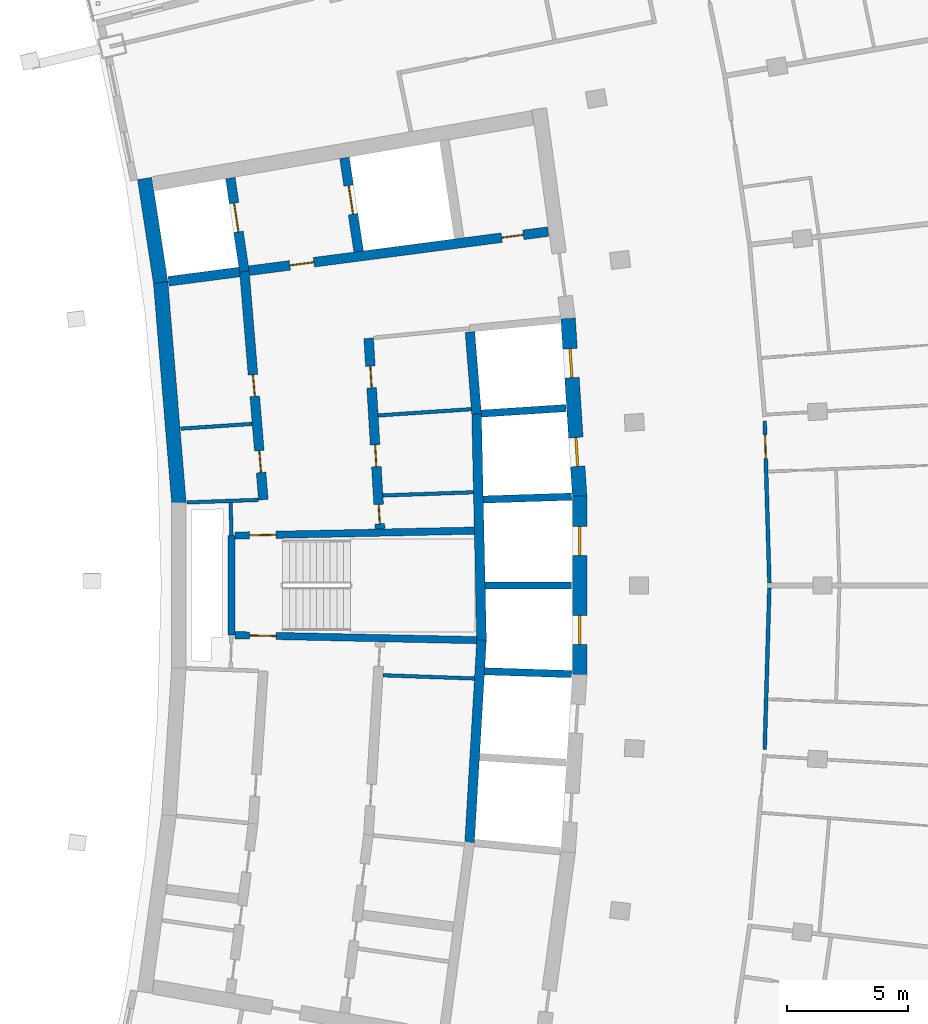
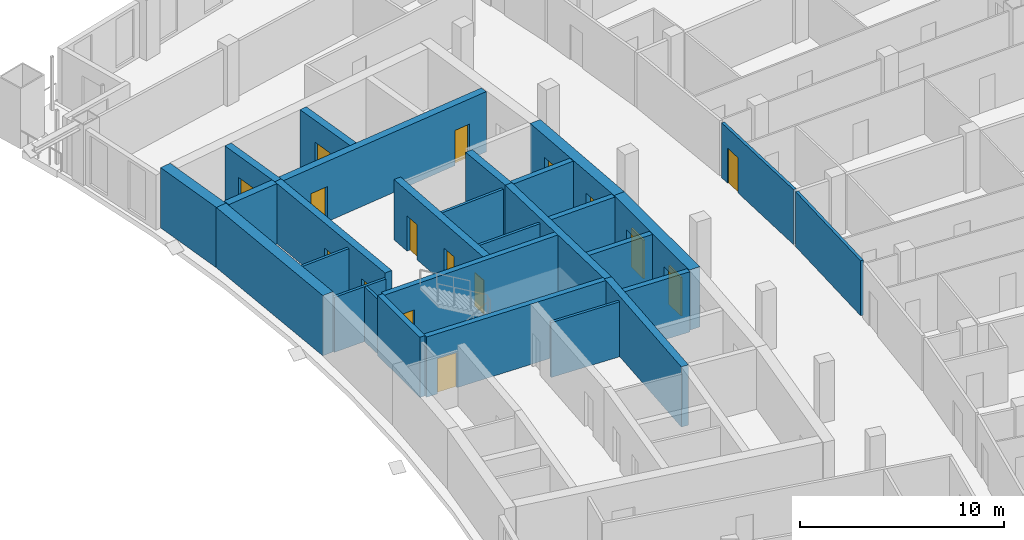
# One storey, part 12 of 19: 28 walls, 16 doors, 16 openings.
"""IFC4 building model written with IfcOpenShell, lengths in metres."""

from ifc_helpers import new_model, si_unit, direction, frame, frame_2d, origin, place, context, subcontext, project, spatial, rectangle, extrude, material, layer, layer_set, type_object, element, fill, save


model = new_model("IFC4")

# Units and contexts
model_context = context("Model", 3, precision=1e-05, world=origin(), true_north=direction((0.0, 1.0)))
body_context = subcontext(model_context, "Body", "Model", "MODEL_VIEW")
ifc_project = project(units=[si_unit("LENGTHUNIT", "METRE"), si_unit("AREAUNIT", "SQUARE_METRE"), si_unit("VOLUMEUNIT", "CUBIC_METRE"), si_unit("PLANEANGLEUNIT", "RADIAN"), si_unit("MASSUNIT", "GRAM", prefix="KILO")], contexts=[model_context])

# Site, building, storey
site_placement = place(None, origin())
site = spatial("IfcSite", under=ifc_project, at=site_placement, CompositionType="ELEMENT")
building_placement = place(site_placement, origin())
building = spatial("IfcBuilding", under=site, at=building_placement, Name="Alderwake Tower", CompositionType="ELEMENT")
storey_placement = place(building_placement, frame((0.0, 0.0, 196.39990234375)))
storey = spatial("IfcBuildingStorey", under=building, at=storey_placement, Name="L48", CompositionType="ELEMENT", Elevation=196.39990234375)

# Walls
ifc_material_1 = material(Name="Gypsum shaft wall system, rated")
ifc_layer_1 = layer(ifc_material_1, 0.14990234375)
ifc_layer_set_1 = layer_set([ifc_layer_1], Name="Core riser partition 150")
wall_type_1 = type_object("IfcWallType", Name="Core riser partition 150", PredefinedType="PARTITIONING", material=ifc_layer_set_1)
wall_1_placement = place(storey_placement, frame((25.1904296875, 57.276611328125, 0.0), z_axis=(0.0, 0.0, 1.0), x_axis=(0.999373547283, -0.03539086028, 0.0)))
element("IfcWall", 1, at=wall_1_placement, inside=storey, type_object=wall_type_1, Name="CW/L48/PR-37_+86", PredefinedType="PARTITIONING", context=body_context, shape_type="SweptSolid", body=[
    extrude(rectangle(XDim=3.794189453125, YDim=0.14990234375, at=frame_2d((1.89697265625, 0.0))), origin(), (0.0, 0.0, 1.0), 3.280029296875),
])
wall_2_placement = place(storey_placement, frame((25.191162109375, 64.723388671875, 0.0), z_axis=(0.0, 0.0, 1.0), x_axis=(0.999373256208, 0.035399078746, 0.0)))
element("IfcWall", 2, at=wall_2_placement, inside=storey, type_object=wall_type_1, Name="CW/L48/PR+37_+86", PredefinedType="PARTITIONING", context=body_context, shape_type="SweptSolid", body=[
    extrude(rectangle(XDim=3.751953125, YDim=0.14990234375, at=frame_2d((1.8759765625, 0.0))), origin(), (0.0, 0.0, 1.0), 3.280029296875),
])
ifc_material_2 = material(Name="Gypsum shaft wall system, rated")
ifc_layer_2 = layer(ifc_material_2, 0.14990234375)
ifc_layer_set_2 = layer_set([ifc_layer_2], Name="Core room partition 150")
wall_type_2 = type_object("IfcWallType", Name="Core room partition 150", PredefinedType="PARTITIONING", material=ifc_layer_set_2)
wall_3_placement = place(storey_placement, frame((18.918701171875, 63.05517578125, 0.0), z_axis=(0.0, 0.0, 1.0), x_axis=(-0.027791791559, 0.99961373356, 0.0)))
element("IfcWall", 3, at=wall_3_placement, inside=storey, type_object=wall_type_2, Name="CW/L48/PA+24_+22", PredefinedType="PARTITIONING", context=body_context, shape_type="SweptSolid", body=[
    extrude(rectangle(XDim=1.370361328125, YDim=0.14990234375, at=frame_2d((0.68505859375, 0.0))), origin(), (0.0, 0.0, 1.0), 3.280029296875),
])
wall_4_placement = place(storey_placement, frame((17.0693359375, 64.43603515625, 0.0), z_axis=(0.0, 0.0, 1.0), x_axis=(0.999374945052, 0.03535136775, 0.0)))
element("IfcWall", 4, at=wall_4_placement, inside=storey, type_object=wall_type_2, Name="CW/L48/PR+37_+0", PredefinedType="PARTITIONING", context=body_context, shape_type="SweptSolid", body=[
    extrude(rectangle(XDim=2.9697265625, YDim=0.14990234375, at=frame_2d((1.48486328125, 0.0))), origin(), (0.0, 0.0, 1.0), 3.280029296875),
])
wall_5_placement = place(storey_placement, frame((16.81640625, 67.490478515625, 0.0), z_axis=(0.0, 0.0, 1.0), x_axis=(0.997758859926, 0.066912311566, 0.0)))
element("IfcWall", 5, at=wall_5_placement, inside=storey, type_object=wall_type_2, Name="CW/L48/PR+70_+0", PredefinedType="PARTITIONING", context=body_context, shape_type="SweptSolid", body=[
    extrude(rectangle(XDim=2.96630859375, YDim=0.14990234375, at=frame_2d((1.483154296875, 0.0))), origin(), (0.0, 0.0, 1.0), 3.280029296875),
])
wall_6_placement = place(storey_placement, frame((24.992431640625, 68.038818359375, 0.0), z_axis=(0.0, 0.0, 1.0), x_axis=(0.997760236964, 0.066891774789, 0.0)))
element("IfcWall", 6, at=wall_6_placement, inside=storey, type_object=wall_type_2, Name="CW/L48/PR+70_+86", PredefinedType="PARTITIONING", context=body_context, shape_type="SweptSolid", body=[
    extrude(rectangle(XDim=3.86865234375, YDim=0.14990234375, at=frame_2d((1.934326171875, 0.0))), origin(), (0.0, 0.0, 1.0), 3.280029296875),
])
ifc_material_3 = material(Name="Concrete C70/85", Category="concrete")
ifc_layer_3 = layer(ifc_material_3, 0.60009765625)
ifc_layer_set_3 = layer_set([ifc_layer_3], Name="Core wall outer 600 C70-85")
wall_type_3 = type_object("IfcWallType", Name="Core wall outer 600 C70-85", PredefinedType="SHEAR", material=ifc_layer_set_3)
wall_7_placement = place(storey_placement, frame((16.740478515625, 64.411376953125, 0.0), z_axis=(0.0, 0.0, 1.0), x_axis=(-0.082614307012, 0.996581595393, 0.0)))
element("IfcWall", 7, at=wall_7_placement, inside=storey, type_object=wall_type_3, Name="Core wall CW.035", PredefinedType="SHEAR", context=body_context, shape_type="SweptSolid", body=[
    extrude(rectangle(XDim=9.184814453125, YDim=0.60009765625, at=frame_2d((4.59228515625, 0.0))), origin(), (0.0, 0.0, 1.0), 3.60009765625),
])
wall_8_placement = place(storey_placement, frame((15.984130859375, 73.54296875, 0.0), z_axis=(0.0, 0.0, 1.0), x_axis=(-0.151922578304, 0.988392396876, 0.0)))
element("IfcWall", 8, at=wall_8_placement, inside=storey, type_object=wall_type_3, Name="Core wall CW.034", PredefinedType="SHEAR", context=body_context, shape_type="SweptSolid", body=[
    extrude(rectangle(XDim=4.361328125, YDim=0.60009765625, at=frame_2d((2.1806640625, 0.0))), origin(), (0.0, 0.0, 1.0), 3.60009765625),
])

# Wall, openings, doors
wall_9_placement = place(storey_placement, frame((33.340087890625, 57.30322265625, 0.0), z_axis=(0.0, 0.0, 1.0), x_axis=(0.0, 1.0, 0.0)))
wall_9 = element("IfcWall", 9, at=wall_9_placement, inside=storey, type_object=wall_type_3, Name="Core wall CW.018", PredefinedType="SHEAR", context=body_context, shape_type="SweptSolid", body=[
    extrude(rectangle(XDim=7.3935546875, YDim=0.60009765625, at=frame_2d((3.69677734375, 0.0))), origin(), (0.0, 0.0, 1.0), 3.60009765625),
])
opening_1_placement = place(wall_9_placement, frame((1.25341796875, 0.0, 0.0)))
opening_1 = element("IfcOpeningElement", 10, at=opening_1_placement, cuts=wall_9, Name="Opening LD-HP3", PredefinedType="OPENING", context=body_context, shape_type="SweptSolid", body=[
    extrude(rectangle(XDim=1.199951171875, YDim=2.300048828125, at=frame_2d((0.60009765625, 1.14990234375))), frame((0.0, 0.31005859375, 0.0), z_axis=(0.0, -1.0, 0.0), x_axis=(1.0, 0.0, 0.0)), (0.0, 0.0, 1.0), 0.6201171875),
])
opening_2_placement = place(wall_9_placement, frame((4.940185546875, 0.0, 0.0)))
opening_2 = element("IfcOpeningElement", 11, at=opening_2_placement, cuts=wall_9, Name="Opening LD-HP4", PredefinedType="OPENING", context=body_context, shape_type="SweptSolid", body=[
    extrude(rectangle(XDim=1.199951171875, YDim=2.300048828125, at=frame_2d((0.60009765625, 1.14990234375))), frame((0.0, 0.31005859375, 0.0), z_axis=(0.0, -1.0, 0.0), x_axis=(1.0, 0.0, 0.0)), (0.0, 0.0, 1.0), 0.6201171875),
])
ifc_material_4 = material(Name="Stainless steel sliding leaf", Category="steel")
door_type_1 = type_object("IfcDoorType", Name="Lift landing door 1200", OperationType="SLIDING_TO_LEFT", PredefinedType="DOOR", material=ifc_material_4)
door_1_placement = place(opening_1_placement, origin())
door_1 = element("IfcDoor", 12, at=door_1_placement, inside=storey, type_object=door_type_1, Name="Lift landing door HP3", OperationType="SLIDING_TO_LEFT", OverallHeight=2.300048828125, OverallWidth=1.199951171875, PredefinedType="DOOR", context=body_context, shape_type="SweptSolid", body=[
    extrude(rectangle(XDim=1.199951171875, YDim=2.300048828125, at=frame_2d((0.60009765625, 1.14990234375))), frame((0.0, 0.050048828125, 0.0), z_axis=(0.0, -1.0, 0.0), x_axis=(1.0, 0.0, 0.0)), (0.0, 0.0, 1.0), 0.10009765625),
])
fill(opening_1, door_1)
door_2_placement = place(opening_2_placement, origin())
door_2 = element("IfcDoor", 13, at=door_2_placement, inside=storey, type_object=door_type_1, Name="Lift landing door HP4", OperationType="SLIDING_TO_LEFT", OverallHeight=2.300048828125, OverallWidth=1.199951171875, PredefinedType="DOOR", context=body_context, shape_type="SweptSolid", body=[
    extrude(rectangle(XDim=1.199951171875, YDim=2.300048828125, at=frame_2d((0.60009765625, 1.14990234375))), frame((0.0, 0.050048828125, 0.0), z_axis=(0.0, -1.0, 0.0), x_axis=(1.0, 0.0, 0.0)), (0.0, 0.0, 1.0), 0.10009765625),
])
fill(opening_2, door_2)

wall_10_placement = place(storey_placement, frame((33.3408203125, 64.67626953125, 0.0), z_axis=(0.0, 0.0, 1.0), x_axis=(-0.065013379938, 0.997884392317, 0.0)))
wall_10 = element("IfcWall", 14, at=wall_10_placement, inside=storey, type_object=wall_type_3, Name="Core wall CW.015", PredefinedType="SHEAR", context=body_context, shape_type="SweptSolid", body=[
    extrude(rectangle(XDim=7.39404296875, YDim=0.60009765625, at=frame_2d((3.697021484375, 0.0))), origin(), (0.0, 0.0, 1.0), 3.60009765625),
])
opening_3_placement = place(wall_10_placement, frame((1.253173828125, 0.0, 0.0)))
opening_3 = element("IfcOpeningElement", 15, at=opening_3_placement, cuts=wall_10, Name="Opening LD-HP5", PredefinedType="OPENING", context=body_context, shape_type="SweptSolid", body=[
    extrude(rectangle(XDim=1.199951171875, YDim=2.300048828125, at=frame_2d((0.60009765625, 1.14990234375))), frame((0.0, 0.31005859375, 0.0), z_axis=(0.0, -1.0, 0.0), x_axis=(1.0, 0.0, 0.0)), (0.0, 0.0, 1.0), 0.6201171875),
])
opening_4_placement = place(wall_10_placement, frame((4.940185546875, 0.0, 0.0)))
opening_4 = element("IfcOpeningElement", 16, at=opening_4_placement, cuts=wall_10, Name="Opening LD-HP6", PredefinedType="OPENING", context=body_context, shape_type="SweptSolid", body=[
    extrude(rectangle(XDim=1.199951171875, YDim=2.300048828125, at=frame_2d((0.60009765625, 1.14990234375))), frame((0.0, 0.31005859375, 0.0), z_axis=(0.0, -1.0, 0.0), x_axis=(1.0, 0.0, 0.0)), (0.0, 0.0, 1.0), 0.6201171875),
])
door_3_placement = place(opening_3_placement, origin())
door_3 = element("IfcDoor", 17, at=door_3_placement, inside=storey, type_object=door_type_1, Name="Lift landing door HP5", OperationType="SLIDING_TO_LEFT", OverallHeight=2.300048828125, OverallWidth=1.199951171875, PredefinedType="DOOR", context=body_context, shape_type="SweptSolid", body=[
    extrude(rectangle(XDim=1.199951171875, YDim=2.300048828125, at=frame_2d((0.60009765625, 1.14990234375))), frame((0.0, 0.050048828125, 0.0), z_axis=(0.0, -1.0, 0.0), x_axis=(1.0, 0.0, 0.0)), (0.0, 0.0, 1.0), 0.10009765625),
])
fill(opening_3, door_3)
door_4_placement = place(opening_4_placement, origin())
door_4 = element("IfcDoor", 18, at=door_4_placement, inside=storey, type_object=door_type_1, Name="Lift landing door HP6", OperationType="SLIDING_TO_LEFT", OverallHeight=2.300048828125, OverallWidth=1.199951171875, PredefinedType="DOOR", context=body_context, shape_type="SweptSolid", body=[
    extrude(rectangle(XDim=1.199951171875, YDim=2.300048828125, at=frame_2d((0.60009765625, 1.14990234375))), frame((0.0, 0.050048828125, 0.0), z_axis=(0.0, -1.0, 0.0), x_axis=(1.0, 0.0, 0.0)), (0.0, 0.0, 1.0), 0.10009765625),
])
fill(opening_4, door_4)

# Walls
ifc_material_5 = material(Name="Concrete C70/85", Category="concrete")
ifc_layer_4 = layer(ifc_material_5, 0.300048828125)
ifc_layer_set_4 = layer_set([ifc_layer_4], Name="Core wall shaft 300 C70-85")
wall_type_4 = type_object("IfcWallType", Name="Core wall shaft 300 C70-85", PredefinedType="SHEAR", material=ifc_layer_set_4)
wall_11_placement = place(storey_placement, frame((29.400634765625, 57.441650390625, 0.0), z_axis=(0.0, 0.0, 1.0), x_axis=(0.999471151072, -0.032517966969, 0.0)))
element("IfcWall", 19, at=wall_11_placement, inside=storey, type_object=wall_type_4, Name="Core wall CW.075", PredefinedType="SHEAR", context=body_context, shape_type="SweptSolid", body=[
    extrude(rectangle(XDim=3.611328125, YDim=0.300048828125, at=frame_2d((1.8056640625, 0.0))), origin(), (0.0, 0.0, 1.0), 3.60009765625),
])
wall_12_placement = place(storey_placement, frame((29.426025390625, 61.0, 0.0), z_axis=(0.0, 0.0, 1.0), x_axis=(1.0, 0.0, 0.0)))
element("IfcWall", 20, at=wall_12_placement, inside=storey, type_object=wall_type_4, Name="Core wall CW.048", PredefinedType="SHEAR", context=body_context, shape_type="SweptSolid", body=[
    extrude(rectangle(XDim=3.583984375, YDim=0.300048828125, at=frame_2d((1.7919921875, 0.0))), origin(), (0.0, 0.0, 1.0), 3.60009765625),
])
wall_13_placement = place(storey_placement, frame((29.347412109375, 64.556396484375, 0.0), z_axis=(0.0, 0.0, 1.0), x_axis=(0.99946918462, 0.032578351638, 0.0)))
element("IfcWall", 21, at=wall_13_placement, inside=storey, type_object=wall_type_4, Name="Core wall CW.058", PredefinedType="SHEAR", context=body_context, shape_type="SweptSolid", body=[
    extrude(rectangle(XDim=3.66455078125, YDim=0.300048828125, at=frame_2d((1.832275390625, 0.0))), origin(), (0.0, 0.0, 1.0), 3.60009765625),
])
wall_14_placement = place(storey_placement, frame((29.268798828125, 68.115478515625, 0.0), z_axis=(0.0, 0.0, 1.0), x_axis=(0.997887366571, 0.064967712281, 0.0)))
element("IfcWall", 22, at=wall_14_placement, inside=storey, type_object=wall_type_4, Name="Core wall CW.061", PredefinedType="SHEAR", context=body_context, shape_type="SweptSolid", body=[
    extrude(rectangle(XDim=3.509765625, YDim=0.300048828125, at=frame_2d((1.7548828125, 0.0))), origin(), (0.0, 0.0, 1.0), 3.60009765625),
])

# Wall, openings, doors
ifc_material_6 = material(Name="Concrete C70/85", Category="concrete")
ifc_layer_5 = layer(ifc_material_6, 0.39990234375)
ifc_layer_set_5 = layer_set([ifc_layer_5], Name="Core wall spine 400 C70-85")
wall_type_5 = type_object("IfcWallType", Name="Core wall spine 400 C70-85", PredefinedType="SHEAR", material=ifc_layer_set_5)
wall_15_placement = place(storey_placement, frame((19.452392578125, 74.014892578125, 0.0), z_axis=(0.0, 0.0, 1.0), x_axis=(0.082628585297, -0.996580411654, 0.0)))
wall_15 = element("IfcWall", 23, at=wall_15_placement, inside=storey, type_object=wall_type_5, Name="Core wall CW.031", PredefinedType="SHEAR", context=body_context, shape_type="SweptSolid", body=[
    extrude(rectangle(XDim=9.499267578125, YDim=0.39990234375, at=frame_2d((4.74951171875, 0.0))), origin(), (0.0, 0.0, 1.0), 3.60009765625),
])
opening_5_placement = place(wall_15_placement, frame((7.468017578125, 0.0, 0.0)))
opening_5 = element("IfcOpeningElement", 24, at=opening_5_placement, cuts=wall_15, Name="Opening C053", PredefinedType="OPENING", context=body_context, shape_type="SweptSolid", body=[
    extrude(rectangle(XDim=0.89990234375, YDim=2.10009765625, at=frame_2d((0.449951171875, 1.050048828125))), frame((0.0, 0.2099609375, 0.0), z_axis=(0.0, -1.0, 0.0), x_axis=(1.0, 0.0, 0.0)), (0.0, 0.0, 1.0), 0.419921875),
])
opening_6_placement = place(wall_15_placement, frame((4.30322265625, 0.0, 0.0)))
opening_6 = element("IfcOpeningElement", 25, at=opening_6_placement, cuts=wall_15, Name="Opening C054", PredefinedType="OPENING", context=body_context, shape_type="SweptSolid", body=[
    extrude(rectangle(XDim=0.89990234375, YDim=2.10009765625, at=frame_2d((0.449951171875, 1.050048828125))), frame((0.0, 0.2099609375, 0.0), z_axis=(0.0, -1.0, 0.0), x_axis=(1.0, 0.0, 0.0)), (0.0, 0.0, 1.0), 0.419921875),
])
ifc_material_7 = material(Name="Painted steel leaf", Category="steel")
door_type_2 = type_object("IfcDoorType", Name="Core room door 900", OperationType="SINGLE_SWING_LEFT", PredefinedType="DOOR", material=ifc_material_7)
door_5_placement = place(opening_5_placement, origin())
door_5 = element("IfcDoor", 26, at=door_5_placement, inside=storey, type_object=door_type_2, Name="Room door", OperationType="SINGLE_SWING_LEFT", OverallHeight=2.10009765625, OverallWidth=0.89990234375, PredefinedType="DOOR", context=body_context, shape_type="SweptSolid", body=[
    extrude(rectangle(XDim=0.89990234375, YDim=2.10009765625, at=frame_2d((0.449951171875, 1.050048828125))), frame((0.0, 0.02490234375, 0.0), z_axis=(0.0, -1.0, 0.0), x_axis=(1.0, 0.0, 0.0)), (0.0, 0.0, 1.0), 0.050048828125),
])
fill(opening_5, door_5)
door_6_placement = place(opening_6_placement, origin())
door_6 = element("IfcDoor", 27, at=door_6_placement, inside=storey, type_object=door_type_2, Name="Room door", OperationType="SINGLE_SWING_RIGHT", OverallHeight=2.10009765625, OverallWidth=0.89990234375, PredefinedType="DOOR", context=body_context, shape_type="SweptSolid", body=[
    extrude(rectangle(XDim=0.89990234375, YDim=2.10009765625, at=frame_2d((0.449951171875, 1.050048828125))), frame((0.0, 0.02490234375, 0.0), z_axis=(0.0, -1.0, 0.0), x_axis=(1.0, 0.0, 0.0)), (0.0, 0.0, 1.0), 0.050048828125),
])
fill(opening_6, door_6)

# Wall, opening, door
wall_16_placement = place(storey_placement, frame((19.4541015625, 74.00048828125, 0.0), z_axis=(0.0, 0.0, 1.0), x_axis=(-0.148977743105, 0.98884054936, 0.0)))
wall_16 = element("IfcWall", 28, at=wall_16_placement, inside=storey, type_object=wall_type_5, Name="Core wall CW.030", PredefinedType="SHEAR", context=body_context, shape_type="SweptSolid", body=[
    extrude(rectangle(XDim=3.9150390625, YDim=0.39990234375, at=frame_2d((1.95751953125, 0.0))), origin(), (0.0, 0.0, 1.0), 3.60009765625),
])
opening_7_placement = place(wall_16_placement, frame((1.6611328125, 0.0, 0.0)))
opening_7 = element("IfcOpeningElement", 29, at=opening_7_placement, cuts=wall_16, Name="Opening LD-FF1", PredefinedType="OPENING", context=body_context, shape_type="SweptSolid", body=[
    extrude(rectangle(XDim=1.199951171875, YDim=2.300048828125, at=frame_2d((0.60009765625, 1.14990234375))), frame((0.0, 0.2099609375, 0.0), z_axis=(0.0, -1.0, 0.0), x_axis=(1.0, 0.0, 0.0)), (0.0, 0.0, 1.0), 0.419921875),
])
door_7_placement = place(opening_7_placement, origin())
door_7 = element("IfcDoor", 30, at=door_7_placement, inside=storey, type_object=door_type_1, Name="Lift landing door FF1", OperationType="SLIDING_TO_LEFT", OverallHeight=2.300048828125, OverallWidth=1.199951171875, PredefinedType="DOOR", context=body_context, shape_type="SweptSolid", body=[
    extrude(rectangle(XDim=1.199951171875, YDim=2.300048828125, at=frame_2d((0.60009765625, 1.14990234375))), frame((0.0, 0.02490234375, 0.0), z_axis=(0.0, -1.0, 0.0), x_axis=(1.0, 0.0, 0.0)), (0.0, 0.0, 1.0), 0.050048828125),
])
fill(opening_7, door_7)

# Wall, openings, doors
wall_17_placement = place(storey_placement, frame((25.073974609375, 63.335693359375, 0.0), z_axis=(0.0, 0.0, 1.0), x_axis=(-0.059848641072, 0.998207463487, 0.0)))
wall_17 = element("IfcWall", 31, at=wall_17_placement, inside=storey, type_object=wall_type_5, Name="Core wall CW.045", PredefinedType="SHEAR", context=body_context, shape_type="SweptSolid", body=[
    extrude(rectangle(XDim=7.913818359375, YDim=0.39990234375, at=frame_2d((3.95703125, 0.0))), origin(), (0.0, 0.0, 1.0), 3.60009765625),
])
opening_8_placement = place(wall_17_placement, frame((0.216064453125, 0.0, 0.0)))
opening_8 = element("IfcOpeningElement", 32, at=opening_8_placement, cuts=wall_17, Name="Opening C005", PredefinedType="OPENING", context=body_context, shape_type="SweptSolid", body=[
    extrude(rectangle(XDim=0.800048828125, YDim=2.0, at=frame_2d((0.39990234375, 1.0))), frame((0.0, 0.2099609375, 0.0), z_axis=(0.0, -1.0, 0.0), x_axis=(1.0, 0.0, 0.0)), (0.0, 0.0, 1.0), 0.419921875),
])
opening_9_placement = place(wall_17_placement, frame((5.856201171875, 0.0, 0.0)))
opening_9 = element("IfcOpeningElement", 33, at=opening_9_placement, cuts=wall_17, Name="Opening C023", PredefinedType="OPENING", context=body_context, shape_type="SweptSolid", body=[
    extrude(rectangle(XDim=0.89990234375, YDim=2.10009765625, at=frame_2d((0.449951171875, 1.050048828125))), frame((0.0, 0.2099609375, 0.0), z_axis=(0.0, -1.0, 0.0), x_axis=(1.0, 0.0, 0.0)), (0.0, 0.0, 1.0), 0.419921875),
])
opening_10_placement = place(wall_17_placement, frame((2.590087890625, 0.0, 0.0)))
opening_10 = element("IfcOpeningElement", 34, at=opening_10_placement, cuts=wall_17, Name="Opening C059", PredefinedType="OPENING", context=body_context, shape_type="SweptSolid", body=[
    extrude(rectangle(XDim=0.89990234375, YDim=2.10009765625, at=frame_2d((0.449951171875, 1.050048828125))), frame((0.0, 0.2099609375, 0.0), z_axis=(0.0, -1.0, 0.0), x_axis=(1.0, 0.0, 0.0)), (0.0, 0.0, 1.0), 0.419921875),
])
door_8_placement = place(opening_9_placement, origin())
door_8 = element("IfcDoor", 35, at=door_8_placement, inside=storey, type_object=door_type_2, Name="Room door", OperationType="SINGLE_SWING_RIGHT", OverallHeight=2.10009765625, OverallWidth=0.89990234375, PredefinedType="DOOR", context=body_context, shape_type="SweptSolid", body=[
    extrude(rectangle(XDim=0.89990234375, YDim=2.10009765625, at=frame_2d((0.449951171875, 1.050048828125))), frame((0.0, 0.02490234375, 0.0), z_axis=(0.0, -1.0, 0.0), x_axis=(1.0, 0.0, 0.0)), (0.0, 0.0, 1.0), 0.050048828125),
])
fill(opening_9, door_8)
door_9_placement = place(opening_10_placement, origin())
door_9 = element("IfcDoor", 36, at=door_9_placement, inside=storey, type_object=door_type_2, Name="Room door", OperationType="SINGLE_SWING_LEFT", OverallHeight=2.10009765625, OverallWidth=0.89990234375, PredefinedType="DOOR", context=body_context, shape_type="SweptSolid", body=[
    extrude(rectangle(XDim=0.89990234375, YDim=2.10009765625, at=frame_2d((0.449951171875, 1.050048828125))), frame((0.0, 0.02490234375, 0.0), z_axis=(0.0, -1.0, 0.0), x_axis=(1.0, 0.0, 0.0)), (0.0, 0.0, 1.0), 0.050048828125),
])
fill(opening_10, door_9)
ifc_material_8 = material(Name="Painted steel leaf, rated", Category="steel")
door_type_3 = type_object("IfcDoorType", Name="Riser access door 800", OperationType="SINGLE_SWING_LEFT", PredefinedType="DOOR", material=ifc_material_8)
door_10_placement = place(opening_8_placement, origin())
door_10 = element("IfcDoor", 37, at=door_10_placement, inside=storey, type_object=door_type_3, Name="Riser access door", OperationType="SINGLE_SWING_LEFT", OverallHeight=2.0, OverallWidth=0.800048828125, PredefinedType="DOOR", context=body_context, shape_type="SweptSolid", body=[
    extrude(rectangle(XDim=0.800048828125, YDim=2.0, at=frame_2d((0.39990234375, 1.0))), frame((0.0, 0.02490234375, 0.0), z_axis=(0.0, -1.0, 0.0), x_axis=(1.0, 0.0, 0.0)), (0.0, 0.0, 1.0), 0.050048828125),
])
fill(opening_8, door_10)

# Wall, opening, door
wall_18_placement = place(storey_placement, frame((24.186279296875, 74.82861328125, 0.0), z_axis=(0.0, 0.0, 1.0), x_axis=(-0.150092938275, 0.988671891924, 0.0)))
wall_18 = element("IfcWall", 38, at=wall_18_placement, inside=storey, type_object=wall_type_5, Name="Core wall CW.044", PredefinedType="SHEAR", context=body_context, shape_type="SweptSolid", body=[
    extrude(rectangle(XDim=3.92333984375, YDim=0.39990234375, at=frame_2d((1.961669921875, 0.0))), origin(), (0.0, 0.0, 1.0), 3.60009765625),
])
opening_11_placement = place(wall_18_placement, frame((1.561767578125, 0.0, 0.0)))
opening_11 = element("IfcOpeningElement", 39, at=opening_11_placement, cuts=wall_18, Name="Opening LD-FF2", PredefinedType="OPENING", context=body_context, shape_type="SweptSolid", body=[
    extrude(rectangle(XDim=1.199951171875, YDim=2.300048828125, at=frame_2d((0.60009765625, 1.14990234375))), frame((0.0, 0.2099609375, 0.0), z_axis=(0.0, -1.0, 0.0), x_axis=(1.0, 0.0, 0.0)), (0.0, 0.0, 1.0), 0.419921875),
])
door_11_placement = place(opening_11_placement, origin())
door_11 = element("IfcDoor", 40, at=door_11_placement, inside=storey, type_object=door_type_1, Name="Lift landing door FF2", OperationType="SLIDING_TO_LEFT", OverallHeight=2.300048828125, OverallWidth=1.199951171875, PredefinedType="DOOR", context=body_context, shape_type="SweptSolid", body=[
    extrude(rectangle(XDim=1.199951171875, YDim=2.300048828125, at=frame_2d((0.60009765625, 1.14990234375))), frame((0.0, 0.02490234375, 0.0), z_axis=(0.0, -1.0, 0.0), x_axis=(1.0, 0.0, 0.0)), (0.0, 0.0, 1.0), 0.050048828125),
])
fill(opening_11, door_11)

# Walls
wall_19_placement = place(storey_placement, frame((28.780029296875, 50.34765625, 0.0), z_axis=(0.0, 0.0, 1.0), x_axis=(0.05912910263, 0.998250343963, 0.0)))
element("IfcWall", 41, at=wall_19_placement, inside=storey, type_object=wall_type_5, Name="Core wall CW.004", PredefinedType="SHEAR", context=body_context, shape_type="SweptSolid", body=[
    extrude(rectangle(XDim=8.40234375, YDim=0.39990234375, at=frame_2d((4.201171875, 0.0))), origin(), (0.0, 0.0, 1.0), 3.60009765625),
])
wall_20_placement = place(storey_placement, frame((29.276611328125, 58.71826171875, 0.0), z_axis=(0.0, 0.0, 1.0), x_axis=(-0.022119171053, 0.999755341207, 0.0)))
element("IfcWall", 42, at=wall_20_placement, inside=storey, type_object=wall_type_5, Name="Core wall CW.007", PredefinedType="SHEAR", context=body_context, shape_type="SweptSolid", body=[
    extrude(rectangle(XDim=9.392822265625, YDim=0.39990234375, at=frame_2d((4.6962890625, 0.0))), origin(), (0.0, 0.0, 1.0), 3.60009765625),
])
wall_21_placement = place(storey_placement, frame((29.069580078125, 68.09619140625, 0.0), z_axis=(0.0, 0.0, 1.0), x_axis=(-0.080544811251, 0.996750988653, 0.0)))
element("IfcWall", 43, at=wall_21_placement, inside=storey, type_object=wall_type_5, Name="Core wall CW.003", PredefinedType="SHEAR", context=body_context, shape_type="SweptSolid", body=[
    extrude(rectangle(XDim=3.409912109375, YDim=0.39990234375, at=frame_2d((1.705078125, 0.0))), origin(), (0.0, 0.0, 1.0), 3.60009765625),
])
wall_22_placement = place(storey_placement, frame((16.31005859375, 73.5966796875, 0.0), z_axis=(0.0, 0.0, 1.0), x_axis=(0.99155863891, 0.12965903595, 0.0)))
element("IfcWall", 44, at=wall_22_placement, inside=storey, type_object=wall_type_5, Name="Core wall CW.051", PredefinedType="SHEAR", context=body_context, shape_type="SweptSolid", body=[
    extrude(rectangle(XDim=2.969482421875, YDim=0.39990234375, at=frame_2d((1.48486328125, 0.0))), origin(), (0.0, 0.0, 1.0), 3.60009765625),
])

# Wall, openings, doors
wall_23_placement = place(storey_placement, frame((32.032958984375, 75.653076171875, 0.0), z_axis=(0.0, 0.0, 1.0), x_axis=(-0.991554886316, -0.129687730428, 0.0)))
wall_23 = element("IfcWall", 45, at=wall_23_placement, inside=storey, type_object=wall_type_5, Name="Core wall CW.052", PredefinedType="SHEAR", context=body_context, shape_type="SweptSolid", body=[
    extrude(rectangle(XDim=12.48681640625, YDim=0.39990234375, at=frame_2d((6.243408203125, 0.0))), origin(), (0.0, 0.0, 1.0), 3.60009765625),
])
opening_12_placement = place(wall_23_placement, frame((9.787109375, 0.0, 0.0)))
opening_12 = element("IfcOpeningElement", 46, at=opening_12_placement, cuts=wall_23, Name="Opening C002", PredefinedType="OPENING", context=body_context, shape_type="SweptSolid", body=[
    extrude(rectangle(XDim=1.0, YDim=2.10009765625, at=frame_2d((0.5, 1.050048828125))), frame((0.0, 0.2099609375, 0.0), z_axis=(0.0, -1.0, 0.0), x_axis=(1.0, 0.0, 0.0)), (0.0, 0.0, 1.0), 0.419921875),
])
opening_13_placement = place(wall_23_placement, frame((1.037109375, 0.0, 0.0)))
opening_13 = element("IfcOpeningElement", 47, at=opening_13_placement, cuts=wall_23, Name="Opening C020", PredefinedType="OPENING", context=body_context, shape_type="SweptSolid", body=[
    extrude(rectangle(XDim=0.89990234375, YDim=2.10009765625, at=frame_2d((0.449951171875, 1.050048828125))), frame((0.0, 0.2099609375, 0.0), z_axis=(0.0, -1.0, 0.0), x_axis=(1.0, 0.0, 0.0)), (0.0, 0.0, 1.0), 0.419921875),
])
door_12_placement = place(opening_13_placement, origin())
door_12 = element("IfcDoor", 48, at=door_12_placement, inside=storey, type_object=door_type_2, Name="Room door", OperationType="SINGLE_SWING_LEFT", OverallHeight=2.10009765625, OverallWidth=0.89990234375, PredefinedType="DOOR", context=body_context, shape_type="SweptSolid", body=[
    extrude(rectangle(XDim=0.89990234375, YDim=2.10009765625, at=frame_2d((0.449951171875, 1.050048828125))), frame((0.0, 0.02490234375, 0.0), z_axis=(0.0, -1.0, 0.0), x_axis=(1.0, 0.0, 0.0)), (0.0, 0.0, 1.0), 0.050048828125),
])
fill(opening_13, door_12)
ifc_material_9 = material(Name="Steel-framed fire door leaf", Category="steel")
door_type_4 = type_object("IfcDoorType", Name="Firefighting lobby door 1000 fire-rated", OperationType="SINGLE_SWING_LEFT", PredefinedType="DOOR", material=ifc_material_9)
door_13_placement = place(opening_12_placement, origin())
door_13 = element("IfcDoor", 49, at=door_13_placement, inside=storey, type_object=door_type_4, Name="Firefighting lobby door", OperationType="SINGLE_SWING_RIGHT", OverallHeight=2.10009765625, OverallWidth=1.0, PredefinedType="DOOR", context=body_context, shape_type="SweptSolid", body=[
    extrude(rectangle(XDim=1.0, YDim=2.10009765625, at=frame_2d((0.5, 1.050048828125))), frame((0.0, 0.02490234375, 0.0), z_axis=(0.0, -1.0, 0.0), x_axis=(1.0, 0.0, 0.0)), (0.0, 0.0, 1.0), 0.050048828125),
])
fill(opening_12, door_13)

# Wall
ifc_material_10 = material(Name="Concrete C70/85", Category="concrete")
ifc_layer_6 = layer(ifc_material_10, 0.300048828125)
ifc_layer_set_6 = layer_set([ifc_layer_6], Name="Core wall stair enclosure 300 C70-85")
wall_type_6 = type_object("IfcWallType", Name="Core wall stair enclosure 300 C70-85", PredefinedType="SHEAR", material=ifc_layer_set_6)
wall_24_placement = place(storey_placement, frame((18.918701171875, 58.940673828125, 0.0), z_axis=(0.0, 0.0, 1.0), x_axis=(0.0, 1.0, 0.0)))
element("IfcWall", 50, at=wall_24_placement, inside=storey, type_object=wall_type_6, Name="Core wall CW.024", PredefinedType="SHEAR", context=body_context, shape_type="SweptSolid", body=[
    extrude(rectangle(XDim=4.11962890625, YDim=0.300048828125, at=frame_2d((2.059814453125, 0.0))), origin(), (0.0, 0.0, 1.0), 3.60009765625),
])

# Wall, opening, door
wall_25_placement = place(storey_placement, frame((29.076416015625, 58.73095703125, 0.0), z_axis=(0.0, 0.0, 1.0), x_axis=(-0.99978356433, 0.020804434533, 0.0)))
wall_25 = element("IfcWall", 51, at=wall_25_placement, inside=storey, type_object=wall_type_6, Name="Core wall CW.074", PredefinedType="SHEAR", context=body_context, shape_type="SweptSolid", body=[
    extrude(rectangle(XDim=10.010009765625, YDim=0.300048828125, at=frame_2d((5.0048828125, 0.0))), origin(), (0.0, 0.0, 1.0), 3.60009765625),
])
opening_14_placement = place(wall_25_placement, frame((8.309814453125, 0.0, 0.0)))
opening_14 = element("IfcOpeningElement", 52, at=opening_14_placement, cuts=wall_25, Name="Opening C063", PredefinedType="OPENING", context=body_context, shape_type="SweptSolid", body=[
    extrude(rectangle(XDim=1.10009765625, YDim=2.10009765625, at=frame_2d((0.550048828125, 1.050048828125))), frame((0.0, 0.159912109375, 0.0), z_axis=(0.0, -1.0, 0.0), x_axis=(1.0, 0.0, 0.0)), (0.0, 0.0, 1.0), 0.320068359375),
])
ifc_material_11 = material(Name="Steel-framed fire door leaf", Category="steel")
door_type_5 = type_object("IfcDoorType", Name="Core stair door 1100 fire-rated", OperationType="SINGLE_SWING_LEFT", PredefinedType="DOOR", material=ifc_material_11)
door_14_placement = place(opening_14_placement, origin())
door_14 = element("IfcDoor", 53, at=door_14_placement, inside=storey, type_object=door_type_5, Name="Stair door", OperationType="SINGLE_SWING_RIGHT", OverallHeight=2.10009765625, OverallWidth=1.10009765625, PredefinedType="DOOR", context=body_context, shape_type="SweptSolid", body=[
    extrude(rectangle(XDim=1.10009765625, YDim=2.10009765625, at=frame_2d((0.550048828125, 1.050048828125))), frame((0.0, 0.02490234375, 0.0), z_axis=(0.0, -1.0, 0.0), x_axis=(1.0, 0.0, 0.0)), (0.0, 0.0, 1.0), 0.050048828125),
])
fill(opening_14, door_14)

wall_26_placement = place(storey_placement, frame((19.068603515625, 63.060791015625, 0.0), z_axis=(0.0, 0.0, 1.0), x_axis=(0.999783782948, 0.020793925895, 0.0)))
wall_26 = element("IfcWall", 54, at=wall_26_placement, inside=storey, type_object=wall_type_6, Name="Core wall CW.057", PredefinedType="SHEAR", context=body_context, shape_type="SweptSolid", body=[
    extrude(rectangle(XDim=9.909423828125, YDim=0.300048828125, at=frame_2d((4.95458984375, 0.0))), origin(), (0.0, 0.0, 1.0), 3.60009765625),
])
opening_15_placement = place(wall_26_placement, frame((0.60009765625, 0.0, 0.0)))
opening_15 = element("IfcOpeningElement", 55, at=opening_15_placement, cuts=wall_26, Name="Opening C064", PredefinedType="OPENING", context=body_context, shape_type="SweptSolid", body=[
    extrude(rectangle(XDim=1.10009765625, YDim=2.10009765625, at=frame_2d((0.550048828125, 1.050048828125))), frame((0.0, 0.159912109375, 0.0), z_axis=(0.0, -1.0, 0.0), x_axis=(1.0, 0.0, 0.0)), (0.0, 0.0, 1.0), 0.320068359375),
])
door_15_placement = place(opening_15_placement, origin())
door_15 = element("IfcDoor", 56, at=door_15_placement, inside=storey, type_object=door_type_5, Name="Stair door", OperationType="SINGLE_SWING_LEFT", OverallHeight=2.10009765625, OverallWidth=1.10009765625, PredefinedType="DOOR", context=body_context, shape_type="SweptSolid", body=[
    extrude(rectangle(XDim=1.10009765625, YDim=2.10009765625, at=frame_2d((0.550048828125, 1.050048828125))), frame((0.0, 0.02490234375, 0.0), z_axis=(0.0, -1.0, 0.0), x_axis=(1.0, 0.0, 0.0)), (0.0, 0.0, 1.0), 0.050048828125),
])
fill(opening_15, door_15)

# Wall
ifc_material_12 = material(Name="Gypsum board on metal studs, rated")
ifc_layer_7 = layer(ifc_material_12, 0.159912109375)
ifc_layer_set_7 = layer_set([ifc_layer_7], Name="Corridor wall 160")
wall_type_7 = type_object("IfcWallType", Name="Corridor wall 160", PredefinedType="PARTITIONING", material=ifc_layer_set_7)
wall_27_placement = place(storey_placement, frame((41.002685546875, 54.20068359375, 0.0), z_axis=(0.0, 0.0, 1.0), x_axis=(0.028855161601, 0.999583603131, 0.0)))
element("IfcWall", 57, at=wall_27_placement, inside=storey, type_object=wall_type_7, Name="WL/L48/W25", PredefinedType="PARTITIONING", context=body_context, shape_type="SweptSolid", body=[
    extrude(rectangle(XDim=6.700927734375, YDim=0.159912109375, at=frame_2d((3.3505859375, 0.0))), origin(), (0.0, 0.0, 1.0), 3.280029296875),
])

# Wall, opening, door
wall_28_placement = place(storey_placement, frame((41.002685546875, 67.80029296875, 0.0), z_axis=(0.0, 0.0, 1.0), x_axis=(0.0288425569, -0.999583966914, 0.0)))
wall_28 = element("IfcWall", 58, at=wall_28_placement, inside=storey, type_object=wall_type_7, Name="WL/L48/W27", PredefinedType="PARTITIONING", context=body_context, shape_type="SweptSolid", body=[
    extrude(rectangle(XDim=6.703857421875, YDim=0.159912109375, at=frame_2d((3.35205078125, 0.0))), origin(), (0.0, 0.0, 1.0), 3.280029296875),
])
opening_16_placement = place(wall_28_placement, frame((0.54541015625, 0.0, 0.0)))
opening_16 = element("IfcOpeningElement", 59, at=opening_16_placement, cuts=wall_28, Name="Opening R13-U05.2", PredefinedType="OPENING", context=body_context, shape_type="SweptSolid", body=[
    extrude(rectangle(XDim=1.0, YDim=2.10009765625, at=frame_2d((0.5, 1.050048828125))), frame((0.0, 0.08984375, 0.0), z_axis=(0.0, -1.0, 0.0), x_axis=(1.0, 0.0, 0.0)), (0.0, 0.0, 1.0), 0.179931640625),
])
ifc_material_13 = material(Name="Solid timber leaf in steel frame", Category="steel")
door_type_6 = type_object("IfcDoorType", Name="Flat entrance door 1000 fire-rated", OperationType="SINGLE_SWING_LEFT", PredefinedType="DOOR", material=ifc_material_13)
door_16_placement = place(opening_16_placement, origin())
door_16 = element("IfcDoor", 60, at=door_16_placement, inside=storey, type_object=door_type_6, Name="DR/L48/U05.2", OperationType="SINGLE_SWING_LEFT", OverallHeight=2.10009765625, OverallWidth=1.0, PredefinedType="DOOR", context=body_context, shape_type="SweptSolid", body=[
    extrude(rectangle(XDim=1.0, YDim=2.10009765625, at=frame_2d((0.5, 1.050048828125))), frame((0.0, 0.02490234375, 0.0), z_axis=(0.0, -1.0, 0.0), x_axis=(1.0, 0.0, 0.0)), (0.0, 0.0, 1.0), 0.050048828125),
])
fill(opening_16, door_16)

save(model, "model.ifc")
